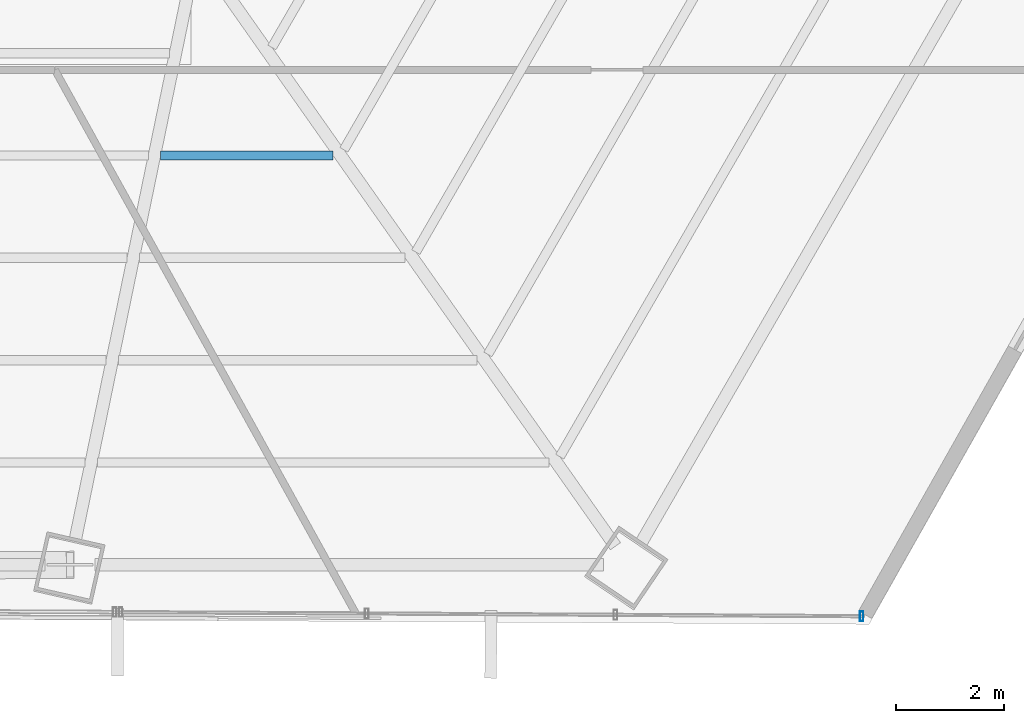
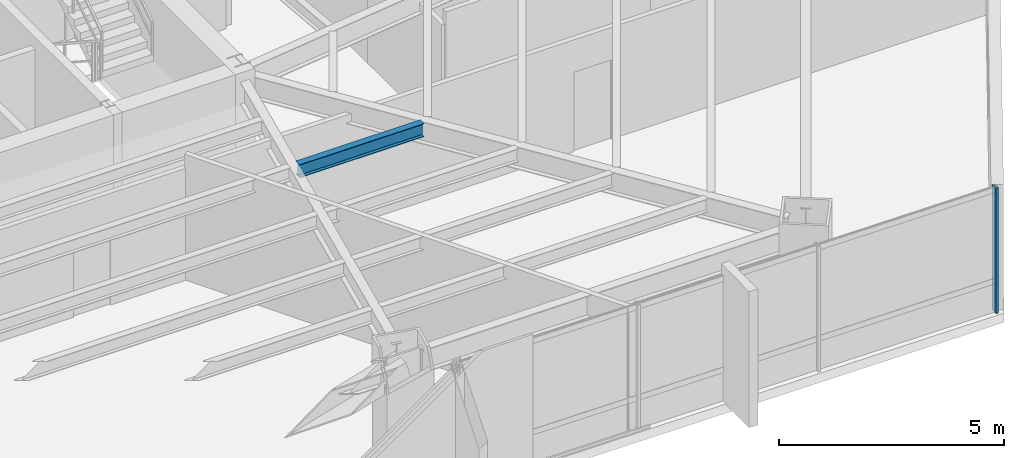
# One storey, part 17 of 35: 1 beam, 1 member, 1 element without a shape of its own.
"""IFC4 building model written with IfcOpenShell, lengths in metres."""

from ifc_helpers import new_model, si_unit, direction, frame, origin, origin_2d, place, context, subcontext, project, spatial, hollow_rectangle, i_section, extrude, source, transform, mapped, material, material_profile, profile_set, type_object, type_shapes, element, aggregate, save


model = new_model("IFC4")

# Units and contexts
model_context = context("Model", 3, precision=1e-05, world=origin(), true_north=direction((0.0, 1.0)))
body_context = subcontext(model_context, "Body", "Model", "MODEL_VIEW")
ifc_project = project(units=[si_unit("LENGTHUNIT", "METRE"), si_unit("AREAUNIT", "SQUARE_METRE"), si_unit("VOLUMEUNIT", "CUBIC_METRE"), si_unit("PLANEANGLEUNIT", "RADIAN"), si_unit("MASSUNIT", "GRAM", prefix="KILO")], contexts=[model_context])

# Site, building, storey
site_placement = place(None, origin())
site = spatial("IfcSite", under=ifc_project, at=site_placement, CompositionType="ELEMENT")
building_placement = place(site_placement, origin())
building = spatial("IfcBuilding", under=site, at=building_placement, Name="Caelisora Broadcast Tower", CompositionType="ELEMENT")
storey_placement = place(building_placement, frame((0.0, 0.0, 87.14990234375)))
storey = spatial("IfcBuildingStorey", under=building, at=storey_placement, Name="L22", CompositionType="ELEMENT", Elevation=87.14990234375)

# Beam
ifc_material_1 = material(Name="Steel Grade 350 (AS/NZS 3679.1)", Category="steel")
ifc_material_profile_1 = material_profile(ifc_material_1, i_section(OverallWidth=0.172119140625, OverallDepth=0.358642578125, WebThickness=0.008056640625, FlangeThickness=0.012939453125, at=origin_2d()), Name="Steel Grade 350 (AS/NZS 3679.1)")
ifc_profile_set_1 = profile_set([ifc_material_profile_1], Name="Steel Grade 350 (AS/NZS 3679.1)")
beam_type = type_object("IfcBeamType", Name="SB02", PredefinedType="JOIST", material=ifc_profile_set_1)
shared_shape_1 = source(origin(), body_context, "Body", "SweptSolid", [
    extrude(i_section(OverallWidth=0.172119140625, OverallDepth=0.358642578125, WebThickness=0.008056640625, FlangeThickness=0.012939453125, at=origin_2d()), origin(), (0.0, 0.0, 1.0), 3.191162109375),
])
type_shapes(beam_type, [shared_shape_1])
beam_placement = place(storey_placement, frame((44.833740234375, 13.6171875, 3.220703125), z_axis=(1.0, 0.0, 0.0), x_axis=(0.0, 1.0, 0.0)))
element("IfcBeam", 1, at=beam_placement, inside=storey, type_object=beam_type, Name="L22 beam SB02", PredefinedType="JOIST", context=body_context, shape_type="MappedRepresentation", body=[
    mapped(shared_shape_1, transform((0.0, 0.0, 0.0), scale=1.0)),
])

# Curtain wall, member
ifc_material_2 = material(Name="Unitised Aluminium and Low-E Glass Curtain Wall", Category="glass")
curtain_wall_type = type_object("IfcCurtainWallType", Name="CW-Z2", PredefinedType="NOTDEFINED", material=ifc_material_2)
curtain_wall_placement = place(storey_placement, origin())
curtain_wall = element("IfcCurtainWall", 2, at=curtain_wall_placement, inside=storey, type_object=curtain_wall_type, Name="L22 curtain wall CW-Z2", PredefinedType="NOTDEFINED")
ifc_material_3 = material(Name="Aluminium 6063-T6 Anodised Terracotta Bronze", Category="aluminium")
ifc_material_profile_2 = material_profile(ifc_material_3, hollow_rectangle(XDim=0.06494140625, YDim=0.179931640625, WallThickness=0.00341796875, at=origin_2d()), Name="Aluminium 6063-T6 Anodised Terracotta Bronze")
ifc_profile_set_2 = profile_set([ifc_material_profile_2], Name="Aluminium 6063-T6 Anodised Terracotta Bronze")
member_type = type_object("IfcMemberType", Name="CWM-02", PredefinedType="MULLION", material=ifc_profile_set_2)
shared_shape_2 = source(origin(), body_context, "Body", "SweptSolid", [
    extrude(hollow_rectangle(XDim=0.06494140625, YDim=0.179931640625, WallThickness=0.00341796875, at=origin_2d()), origin(), (0.0, 0.0, 1.0), 3.400146484375),
])
type_shapes(member_type, [shared_shape_2])
member_placement = place(storey_placement, frame((57.7939453125, 5.101318359375, 0.0), z_axis=(0.0, 0.0, 1.0), x_axis=(1.0, 0.0, 0.0)))
member = element("IfcMember", 3, at=member_placement, type_object=member_type, Name="L22-CW-B05 mullion #0", PredefinedType="MULLION", context=body_context, shape_type="MappedRepresentation", body=[
    mapped(shared_shape_2, transform((0.0, 0.0, 0.0), scale=1.0)),
])
aggregate(curtain_wall, [member])

save(model, "model.ifc")
